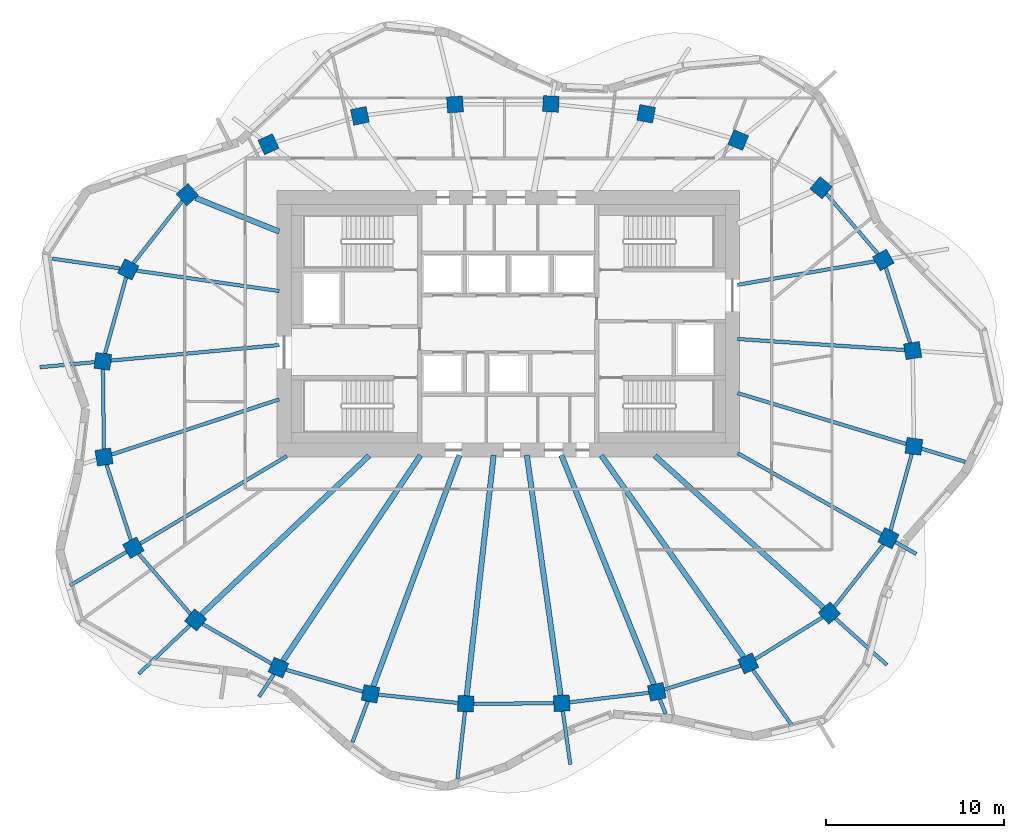
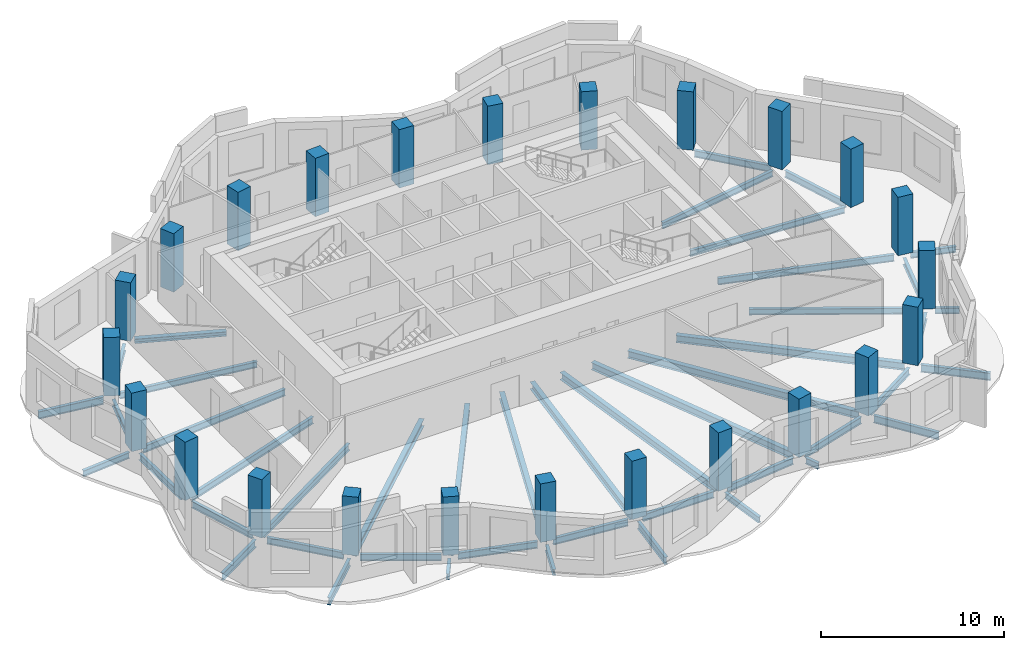
# One storey, part 1 of 9: 46 beams, 24 columns.
"""IFC4 building model written with IfcOpenShell, lengths in metres."""

from ifc_helpers import new_model, si_unit, direction, frame, origin, origin_2d, place, context, subcontext, project, spatial, rectangle, i_section, extrude, material, material_profile, profile_set, type_object, element, save


model = new_model("IFC4")

# Units and contexts
model_context = context("Model", 3, precision=1e-05, world=origin(), true_north=direction((0.0, 1.0)))
body_context = subcontext(model_context, "Body", "Model", "MODEL_VIEW")
ifc_project = project(units=[si_unit("LENGTHUNIT", "METRE"), si_unit("AREAUNIT", "SQUARE_METRE"), si_unit("VOLUMEUNIT", "CUBIC_METRE"), si_unit("PLANEANGLEUNIT", "RADIAN"), si_unit("MASSUNIT", "GRAM", prefix="KILO")], contexts=[model_context])

# Site, building, storey
site_placement = place(None, origin())
site = spatial("IfcSite", under=ifc_project, at=site_placement, CompositionType="ELEMENT")
building_placement = place(site_placement, origin())
building = spatial("IfcBuilding", under=site, at=building_placement, Name="Rubra Terraces Tower", CompositionType="ELEMENT")
storey_placement = place(building_placement, frame((0.0, 0.0, 272.699951171875)))
storey = spatial("IfcBuildingStorey", under=building, at=storey_placement, Name="L67", CompositionType="ELEMENT", Elevation=272.699951171875)

# Columns
ifc_material_1 = material(Name="Concrete C50", Category="concrete")
ifc_material_profile_1 = material_profile(ifc_material_1, rectangle(XDim=0.89990234375, YDim=0.89990234375, at=origin_2d()), Name="RC 900x900")
ifc_profile_set_1 = profile_set([ifc_material_profile_1], Name="Concrete C50")
column_type = type_object("IfcColumnType", Name="RING COLUMN RC 900x900 C50", PredefinedType="COLUMN", material=ifc_profile_set_1)
for number, where, z_axis, x_axis, name in (
    (1, (22.73388671875, 2.992919921875, 0.0), (0.0, 0.0, 1.0), (-0.162062155721, 0.986780551938, 0.0), "column-L67-ring-01"),
    (2, (21.0810546875, 8.090087890625, 0.0), (0.0, 0.0, 1.0), (-0.490161823029, 0.8716314515, 0.0), "column-L67-ring-02"),
    (3, (17.583984375, 12.15087890625, 0.0), (0.0, 0.0, 1.0), (-0.770679191336, 0.637223339216, 0.0), "column-L67-ring-03"),
    (4, (12.927001953125, 14.83203125, 0.0), (0.0, 0.0, 1.0), (-0.92110553102, 0.389312985558, 0.0), "column-L67-ring-04"),
    (5, (7.7509765625, 16.306884765625, 0.0), (0.0, 0.0, 1.0), (-0.981936574306, 0.189210369799, 0.0), "column-L67-ring-05"),
    (6, (2.39208984375, 16.862060546875, 0.0), (0.0, 0.0, 1.0), (-0.998791416829, 0.049149828786, 0.0), "column-L67-ring-06"),
    (7, (-2.9990234375, 16.8359375, 0.0), (0.0, 0.0, 1.0), (-0.998059443319, -0.062268351524, 0.0), "column-L67-ring-07"),
    (8, (-8.346923828125, 16.19189453125, 0.0), (0.0, 0.0, 1.0), (-0.977944102772, -0.208866780156, 0.0), "column-L67-ring-08"),
    (9, (-13.487060546875, 14.595947265625, 0.0), (0.0, 0.0, 1.0), (-0.90972649622, -0.415208022652, 0.0), "column-L67-ring-09"),
    (10, (-18.051025390625, 11.762939453125, 0.0), (0.0, 0.0, 1.0), (-0.7456420961, -0.66634665492, 0.0), "column-L67-ring-10"),
    (11, (-21.366943359375, 7.553955078125, 0.0), (0.0, 0.0, 1.0), (-0.452078869866, -0.891977968013, 0.0), "column-L67-ring-11"),
    (12, (-22.802001953125, 2.388916015625, 0.0), (0.0, 0.0, 1.0), (-0.128535191473, -0.991704948336, 0.0), "column-L67-ring-12"),
    (13, (-22.73388671875, -2.992919921875, 0.0), (0.0, 0.0, 1.0), (0.162062155721, -0.986780551938, 0.0), "column-L67-ring-13"),
    (14, (-21.0810546875, -8.090087890625, 0.0), (0.0, 0.0, 1.0), (0.490161823029, -0.8716314515, 0.0), "column-L67-ring-14"),
    (15, (-17.583984375, -12.15087890625, 0.0), (0.0, 0.0, 1.0), (0.770679191336, -0.637223339216, 0.0), "column-L67-ring-15"),
    (16, (-12.927001953125, -14.83203125, 0.0), (0.0, 0.0, 1.0), (0.92110553102, -0.389312985558, 0.0), "column-L67-ring-16"),
    (17, (-7.7509765625, -16.306884765625, 0.0), (0.0, 0.0, 1.0), (0.981936574306, -0.189210369799, 0.0), "column-L67-ring-17"),
    (18, (-2.39208984375, -16.862060546875, 0.0), (0.0, 0.0, 1.0), (0.998791416829, -0.049149828786, 0.0), "column-L67-ring-18"),
    (19, (2.9990234375, -16.8359375, 0.0), (0.0, 0.0, 1.0), (0.998059443319, 0.062268351524, 0.0), "column-L67-ring-19"),
    (20, (8.346923828125, -16.19189453125, 0.0), (0.0, 0.0, 1.0), (0.977944102772, 0.208866780156, 0.0), "column-L67-ring-20"),
    (21, (13.487060546875, -14.595947265625, 0.0), (0.0, 0.0, 1.0), (0.90972649622, 0.415208022652, 0.0), "column-L67-ring-21"),
    (22, (18.051025390625, -11.762939453125, 0.0), (0.0, 0.0, 1.0), (0.7456420961, 0.66634665492, 0.0), "column-L67-ring-22"),
    (23, (21.366943359375, -7.553955078125, 0.0), (0.0, 0.0, 1.0), (0.452078869866, 0.891977968013, 0.0), "column-L67-ring-23"),
    (24, (22.802001953125, -2.388916015625, 0.0), (0.0, 0.0, 1.0), (0.128535191473, 0.991704948336, 0.0), "column-L67-ring-24"),
):
    element("IfcColumn", number, at=place(storey_placement, frame(where, z_axis=z_axis, x_axis=x_axis)), inside=storey, type_object=column_type, Name=name, PredefinedType="COLUMN", context=body_context, shape_type="SweptSolid", body=[
        extrude(rectangle(XDim=0.89990234375, YDim=0.89990234375, at=origin_2d()), origin(), (0.0, 0.0, 1.0), 3.900146484375),
    ])

# Beams
ifc_material_2 = material(Name="Steel Q355B", Category="steel")
ifc_material_profile_2 = material_profile(ifc_material_2, i_section(OverallWidth=0.199951171875, OverallDepth=0.39990234375, WebThickness=0.008056640625, FlangeThickness=0.012939453125, at=origin_2d()), Name="HN 400x200x8x13")
ifc_profile_set_2 = profile_set([ifc_material_profile_2], Name="Steel Q355B")
beam_type_1 = type_object("IfcBeamType", Name="CANTILEVER BEAM HN 400x200x8x13", PredefinedType="BEAM", material=ifc_profile_set_2)
beam_1_placement = place(storey_placement, frame((-23.260986328125, 2.345947265625, -0.39990234375), z_axis=(-0.995757013505, -0.092021573864, 0.0), x_axis=(0.092021573864, -0.995757013505, 0.0)))
element("IfcBeam", 25, at=beam_1_placement, inside=storey, type_object=beam_type_1, Name="beam-L67-cant-12", PredefinedType="BEAM", context=body_context, shape_type="SweptSolid", body=[
    extrude(i_section(OverallWidth=0.199951171875, OverallDepth=0.39990234375, WebThickness=0.008056640625, FlangeThickness=0.012939453125, at=origin_2d()), origin(), (0.0, 0.0, 1.0), 3.09619140625),
])
beam_2_placement = place(storey_placement, frame((-13.181884765625, -15.212890625, -0.39990234375), z_axis=(-0.555635784289, -0.831425808607, 0.0), x_axis=(0.831425808607, -0.555635784289, 0.0)))
element("IfcBeam", 26, at=beam_2_placement, inside=storey, type_object=beam_type_1, Name="beam-L67-cant-16", PredefinedType="BEAM", context=body_context, shape_type="SweptSolid", body=[
    extrude(i_section(OverallWidth=0.199951171875, OverallDepth=0.39990234375, WebThickness=0.008056640625, FlangeThickness=0.012939453125, at=origin_2d()), origin(), (0.0, 0.0, 1.0), 1.5048828125),
])
beam_3_placement = place(storey_placement, frame((-7.909912109375, -16.735107421875, -0.39990234375), z_axis=(-0.349516873948, -0.936930069336, 0.0), x_axis=(0.936930069336, -0.349516873948, 0.0)))
element("IfcBeam", 27, at=beam_3_placement, inside=storey, type_object=beam_type_1, Name="beam-L67-cant-17", PredefinedType="BEAM", context=body_context, shape_type="SweptSolid", body=[
    extrude(i_section(OverallWidth=0.199951171875, OverallDepth=0.39990234375, WebThickness=0.008056640625, FlangeThickness=0.012939453125, at=origin_2d()), origin(), (0.0, 0.0, 1.0), 2.43212890625),
])
beam_4_placement = place(storey_placement, frame((3.06201171875, -17.282958984375, -0.39990234375), z_axis=(0.139077663132, -0.990281476964, 0.0), x_axis=(0.990281476964, 0.139077663132, 0.0)))
element("IfcBeam", 28, at=beam_4_placement, inside=storey, type_object=beam_type_1, Name="beam-L67-cant-19", PredefinedType="BEAM", context=body_context, shape_type="SweptSolid", body=[
    extrude(i_section(OverallWidth=0.199951171875, OverallDepth=0.39990234375, WebThickness=0.008056640625, FlangeThickness=0.012939453125, at=origin_2d()), origin(), (0.0, 0.0, 1.0), 3.019287109375),
])
beam_5_placement = place(storey_placement, frame((23.239013671875, -2.52099609375, -0.39990234375), z_axis=(0.957222496317, -0.289352885842, 0.0), x_axis=(0.289352885842, 0.957222496317, 0.0)))
element("IfcBeam", 29, at=beam_5_placement, inside=storey, type_object=beam_type_1, Name="beam-L67-cant-24", PredefinedType="BEAM", context=body_context, shape_type="SweptSolid", body=[
    extrude(i_section(OverallWidth=0.199951171875, OverallDepth=0.39990234375, WebThickness=0.008056640625, FlangeThickness=0.012939453125, at=origin_2d()), origin(), (0.0, 0.0, 1.0), 2.557373046875),
])
ifc_material_profile_3 = material_profile(ifc_material_2, i_section(OverallWidth=0.198974609375, OverallDepth=0.49609375, WebThickness=0.009033203125, FlangeThickness=0.013916015625, at=origin_2d()), Name="HN 496x199x9x14")
ifc_profile_set_3 = profile_set([ifc_material_profile_3], Name="Steel Q355B")
beam_type_2 = type_object("IfcBeamType", Name="CANTILEVER BEAM HN 496x199x9x14", PredefinedType="BEAM", material=ifc_profile_set_3)
beam_6_placement = place(storey_placement, frame((-21.8369140625, 7.62109375, -0.447998046875), z_axis=(-0.989915068001, 0.141662126712, 0.0), x_axis=(-0.141662126712, -0.989915068001, 0.0)))
element("IfcBeam", 30, at=beam_6_placement, inside=storey, type_object=beam_type_2, Name="beam-L67-cant-11", PredefinedType="BEAM", context=body_context, shape_type="SweptSolid", body=[
    extrude(i_section(OverallWidth=0.198974609375, OverallDepth=0.49609375, WebThickness=0.009033203125, FlangeThickness=0.013916015625, at=origin_2d()), origin(), (0.0, 0.0, 1.0), 3.832763671875),
])
beam_7_placement = place(storey_placement, frame((-21.467041015625, -8.321044921875, -0.447998046875), z_axis=(-0.858684932561, -0.512503840564, 0.0), x_axis=(0.512503840564, -0.858684932561, 0.0)))
element("IfcBeam", 31, at=beam_7_placement, inside=storey, type_object=beam_type_2, Name="beam-L67-cant-14", PredefinedType="BEAM", context=body_context, shape_type="SweptSolid", body=[
    extrude(i_section(OverallWidth=0.198974609375, OverallDepth=0.49609375, WebThickness=0.009033203125, FlangeThickness=0.013916015625, at=origin_2d()), origin(), (0.0, 0.0, 1.0), 3.697509765625),
])
beam_8_placement = place(storey_placement, frame((-17.9130859375, -12.462890625, -0.447998046875), z_axis=(-0.726067989976, -0.687622915509, 0.0), x_axis=(0.687622915509, -0.726067989976, 0.0)))
element("IfcBeam", 32, at=beam_8_placement, inside=storey, type_object=beam_type_2, Name="beam-L67-cant-15", PredefinedType="BEAM", context=body_context, shape_type="SweptSolid", body=[
    extrude(i_section(OverallWidth=0.198974609375, OverallDepth=0.49609375, WebThickness=0.009033203125, FlangeThickness=0.013916015625, at=origin_2d()), origin(), (0.0, 0.0, 1.0), 3.949951171875),
])
beam_9_placement = place(storey_placement, frame((-2.44189453125, -17.31005859375, -0.447998046875), z_axis=(-0.111290281611, -0.993787941776, 0.0), x_axis=(0.993787941776, -0.111290281611, 0.0)))
element("IfcBeam", 33, at=beam_9_placement, inside=storey, type_object=beam_type_2, Name="beam-L67-cant-18", PredefinedType="BEAM", context=body_context, shape_type="SweptSolid", body=[
    extrude(i_section(OverallWidth=0.198974609375, OverallDepth=0.49609375, WebThickness=0.009033203125, FlangeThickness=0.013916015625, at=origin_2d()), origin(), (0.0, 0.0, 1.0), 3.775390625),
])
beam_10_placement = place(storey_placement, frame((13.7509765625, -14.969970703125, -0.447998046875), z_axis=(0.576938338503, -0.816787704098, 0.0), x_axis=(0.816787704098, 0.576938338503, 0.0)))
element("IfcBeam", 34, at=beam_10_placement, inside=storey, type_object=beam_type_2, Name="beam-L67-cant-21", PredefinedType="BEAM", context=body_context, shape_type="SweptSolid", body=[
    extrude(i_section(OverallWidth=0.198974609375, OverallDepth=0.49609375, WebThickness=0.009033203125, FlangeThickness=0.013916015625, at=origin_2d()), origin(), (0.0, 0.0, 1.0), 3.90673828125),
])
beam_11_placement = place(storey_placement, frame((18.386962890625, -12.06591796875, -0.447998046875), z_axis=(0.743069836047, -0.669213881175, 0.0), x_axis=(0.669213881175, 0.743069836047, 0.0)))
element("IfcBeam", 35, at=beam_11_placement, inside=storey, type_object=beam_type_2, Name="beam-L67-cant-22", PredefinedType="BEAM", context=body_context, shape_type="SweptSolid", body=[
    extrude(i_section(OverallWidth=0.198974609375, OverallDepth=0.49609375, WebThickness=0.009033203125, FlangeThickness=0.013916015625, at=origin_2d()), origin(), (0.0, 0.0, 1.0), 3.8974609375),
])
ifc_material_profile_4 = material_profile(ifc_material_2, i_section(OverallWidth=0.199951171875, OverallDepth=0.39990234375, WebThickness=0.008056640625, FlangeThickness=0.012939453125, at=origin_2d()), Name="HN 400x200x8x13")
ifc_profile_set_4 = profile_set([ifc_material_profile_4], Name="Steel Q355B")
beam_type_3 = type_object("IfcBeamType", Name="CANTILEVER STUB HN 400x200x8x13", PredefinedType="BEAM", material=ifc_profile_set_4)
beam_12_placement = place(storey_placement, frame((8.51806640625, -16.615966796875, -0.39990234375), z_axis=(0.373844383566, -0.927491443021, 0.0), x_axis=(0.927491443021, 0.373844383566, 0.0)))
element("IfcBeam", 36, at=beam_12_placement, inside=storey, type_object=beam_type_3, Name="beam-L67-cant-20", PredefinedType="BEAM", context=body_context, shape_type="SweptSolid", body=[
    extrude(i_section(OverallWidth=0.199951171875, OverallDepth=0.39990234375, WebThickness=0.008056640625, FlangeThickness=0.012939453125, at=origin_2d()), origin(), (0.0, 0.0, 1.0), 0.87451171875),
])
beam_13_placement = place(storey_placement, frame((21.759033203125, -7.77490234375, -0.39990234375), z_axis=(0.870954575191, -0.491363539504, 0.0), x_axis=(0.491363539504, 0.870954575191, 0.0)))
element("IfcBeam", 37, at=beam_13_placement, inside=storey, type_object=beam_type_3, Name="beam-L67-cant-23", PredefinedType="BEAM", context=body_context, shape_type="SweptSolid", body=[
    extrude(i_section(OverallWidth=0.199951171875, OverallDepth=0.39990234375, WebThickness=0.008056640625, FlangeThickness=0.012939453125, at=origin_2d()), origin(), (0.0, 0.0, 1.0), 1.345458984375),
])
ifc_material_profile_5 = material_profile(ifc_material_2, i_section(OverallWidth=0.300048828125, OverallDepth=0.48193359375, WebThickness=0.010986328125, FlangeThickness=0.014892578125, at=origin_2d()), Name="HM 482x300x11x15")
ifc_profile_set_5 = profile_set([ifc_material_profile_5], Name="Steel Q355B")
beam_type_4 = type_object("IfcBeamType", Name="FLOOR BEAM HM 482x300x11x15", PredefinedType="BEAM", material=ifc_profile_set_5)
beam_14_placement = place(storey_placement, frame((-17.2548828125, -11.839111328125, -0.44091796875), z_axis=(0.726101482513, 0.687587548674, 0.0), x_axis=(-0.687587548674, 0.726101482513, 0.0)))
element("IfcBeam", 38, at=beam_14_placement, inside=storey, type_object=beam_type_4, Name="beam-L67-floor-15", PredefinedType="BEAM", context=body_context, shape_type="SweptSolid", body=[
    extrude(i_section(OverallWidth=0.300048828125, OverallDepth=0.48193359375, WebThickness=0.010986328125, FlangeThickness=0.014892578125, at=origin_2d()), origin(), (0.0, 0.0, 1.0), 12.97607421875),
])
beam_15_placement = place(storey_placement, frame((-12.672119140625, -14.450927734375, -0.44091796875), z_axis=(0.55586735335, 0.831271006038, 0.0), x_axis=(-0.831271006038, 0.55586735335, 0.0)))
element("IfcBeam", 39, at=beam_15_placement, inside=storey, type_object=beam_type_4, Name="beam-L67-floor-16", PredefinedType="BEAM", context=body_context, shape_type="SweptSolid", body=[
    extrude(i_section(OverallWidth=0.300048828125, OverallDepth=0.48193359375, WebThickness=0.010986328125, FlangeThickness=0.014892578125, at=origin_2d()), origin(), (0.0, 0.0, 1.0), 13.8955078125),
])
beam_16_placement = place(storey_placement, frame((-7.592041015625, -15.87890625, -0.44091796875), z_axis=(0.349129035616, 0.937074658973, 0.0), x_axis=(-0.937074658973, 0.349129035616, 0.0)))
element("IfcBeam", 40, at=beam_16_placement, inside=storey, type_object=beam_type_4, Name="beam-L67-floor-17", PredefinedType="BEAM", context=body_context, shape_type="SweptSolid", body=[
    extrude(i_section(OverallWidth=0.300048828125, OverallDepth=0.48193359375, WebThickness=0.010986328125, FlangeThickness=0.014892578125, at=origin_2d()), origin(), (0.0, 0.0, 1.0), 13.86328125),
])
beam_17_placement = place(storey_placement, frame((-2.342041015625, -16.4140625, -0.44091796875), z_axis=(0.111334672678, 0.993782969596, 0.0), x_axis=(-0.993782969596, 0.111334672678, 0.0)))
element("IfcBeam", 41, at=beam_17_placement, inside=storey, type_object=beam_type_4, Name="beam-L67-floor-18", PredefinedType="BEAM", context=body_context, shape_type="SweptSolid", body=[
    extrude(i_section(OverallWidth=0.300048828125, OverallDepth=0.48193359375, WebThickness=0.010986328125, FlangeThickness=0.014892578125, at=origin_2d()), origin(), (0.0, 0.0, 1.0), 13.61767578125),
])
beam_18_placement = place(storey_placement, frame((2.93603515625, -16.388916015625, -0.44091796875), z_axis=(-0.139140748081, 0.990272615103, 0.0), x_axis=(-0.990272615103, -0.139140748081, 0.0)))
element("IfcBeam", 42, at=beam_18_placement, inside=storey, type_object=beam_type_4, Name="beam-L67-floor-19", PredefinedType="BEAM", context=body_context, shape_type="SweptSolid", body=[
    extrude(i_section(OverallWidth=0.300048828125, OverallDepth=0.48193359375, WebThickness=0.010986328125, FlangeThickness=0.014892578125, at=origin_2d()), origin(), (0.0, 0.0, 1.0), 13.640380859375),
])
beam_19_placement = place(storey_placement, frame((8.176025390625, -15.76806640625, -0.44091796875), z_axis=(-0.374083693877, 0.927394948215, 0.0), x_axis=(-0.927394948215, -0.374083693877, 0.0)))
element("IfcBeam", 43, at=beam_19_placement, inside=storey, type_object=beam_type_4, Name="beam-L67-floor-20", PredefinedType="BEAM", context=body_context, shape_type="SweptSolid", body=[
    extrude(i_section(OverallWidth=0.300048828125, OverallDepth=0.48193359375, WebThickness=0.010986328125, FlangeThickness=0.014892578125, at=origin_2d()), origin(), (0.0, 0.0, 1.0), 13.887451171875),
])
beam_20_placement = place(storey_placement, frame((13.222900390625, -14.221923828125, -0.44091796875), z_axis=(-0.576895514811, 0.816817950948, 0.0), x_axis=(-0.816817950948, -0.576895514811, 0.0)))
element("IfcBeam", 44, at=beam_20_placement, inside=storey, type_object=beam_type_4, Name="beam-L67-floor-21", PredefinedType="BEAM", context=body_context, shape_type="SweptSolid", body=[
    extrude(i_section(OverallWidth=0.300048828125, OverallDepth=0.48193359375, WebThickness=0.010986328125, FlangeThickness=0.014892578125, at=origin_2d()), origin(), (0.0, 0.0, 1.0), 13.8583984375),
])
beam_21_placement = place(storey_placement, frame((17.715087890625, -11.4599609375, -0.44091796875), z_axis=(-0.742980094736, 0.669313513105, 0.0), x_axis=(-0.669313513105, -0.742980094736, 0.0)))
element("IfcBeam", 45, at=beam_21_placement, inside=storey, type_object=beam_type_4, Name="beam-L67-floor-22", PredefinedType="BEAM", context=body_context, shape_type="SweptSolid", body=[
    extrude(i_section(OverallWidth=0.300048828125, OverallDepth=0.48193359375, WebThickness=0.010986328125, FlangeThickness=0.014892578125, at=origin_2d()), origin(), (0.0, 0.0, 1.0), 12.759521484375),
])
ifc_material_profile_6 = material_profile(ifc_material_2, i_section(OverallWidth=0.199951171875, OverallDepth=0.39990234375, WebThickness=0.008056640625, FlangeThickness=0.012939453125, at=origin_2d()), Name="HN 400x200x8x13")
ifc_profile_set_6 = profile_set([ifc_material_profile_6], Name="Steel Q355B")
beam_type_5 = type_object("IfcBeamType", Name="FLOOR BEAM HN 400x200x8x13", PredefinedType="BEAM", material=ifc_profile_set_6)
beam_22_placement = place(storey_placement, frame((22.27294921875, 3.02392578125, -0.39990234375), z_axis=(-0.997814209988, 0.066081785285, 0.0), x_axis=(-0.066081785285, -0.997814209988, 0.0)))
element("IfcBeam", 46, at=beam_22_placement, inside=storey, type_object=beam_type_5, Name="beam-L67-floor-01", PredefinedType="BEAM", context=body_context, shape_type="SweptSolid", body=[
    extrude(i_section(OverallWidth=0.199951171875, OverallDepth=0.39990234375, WebThickness=0.008056640625, FlangeThickness=0.012939453125, at=origin_2d()), origin(), (0.0, 0.0, 1.0), 9.41357421875),
])
beam_23_placement = place(storey_placement, frame((20.610107421875, 8.010009765625, -0.39990234375), z_axis=(-0.985810425856, -0.167862456415, 0.0), x_axis=(0.167862456415, -0.985810425856, 0.0)))
element("IfcBeam", 47, at=beam_23_placement, inside=storey, type_object=beam_type_5, Name="beam-L67-floor-02", PredefinedType="BEAM", context=body_context, shape_type="SweptSolid", body=[
    extrude(i_section(OverallWidth=0.199951171875, OverallDepth=0.39990234375, WebThickness=0.008056640625, FlangeThickness=0.012939453125, at=origin_2d()), origin(), (0.0, 0.0, 1.0), 7.83935546875),
])
beam_24_placement = place(storey_placement, frame((-20.89697265625, 7.487060546875, -0.39990234375), z_axis=(0.98993441274, -0.141526882509, 0.0), x_axis=(0.141526882509, 0.98993441274, 0.0)))
element("IfcBeam", 48, at=beam_24_placement, inside=storey, type_object=beam_type_5, Name="beam-L67-floor-11", PredefinedType="BEAM", context=body_context, shape_type="SweptSolid", body=[
    extrude(i_section(OverallWidth=0.199951171875, OverallDepth=0.39990234375, WebThickness=0.008056640625, FlangeThickness=0.012939453125, at=origin_2d()), origin(), (0.0, 0.0, 1.0), 8.097412109375),
])
beam_25_placement = place(storey_placement, frame((20.97509765625, -7.3330078125, -0.39990234375), z_axis=(-0.870973270007, 0.491330400986, 0.0), x_axis=(-0.491330400986, -0.870973270007, 0.0)))
element("IfcBeam", 49, at=beam_25_placement, inside=storey, type_object=beam_type_5, Name="beam-L67-floor-23", PredefinedType="BEAM", context=body_context, shape_type="SweptSolid", body=[
    extrude(i_section(OverallWidth=0.199951171875, OverallDepth=0.39990234375, WebThickness=0.008056640625, FlangeThickness=0.012939453125, at=origin_2d()), origin(), (0.0, 0.0, 1.0), 9.277099609375),
])
ifc_material_profile_7 = material_profile(ifc_material_2, i_section(OverallWidth=0.198974609375, OverallDepth=0.446044921875, WebThickness=0.008056640625, FlangeThickness=0.011962890625, at=origin_2d()), Name="HN 446x199x8x12")
ifc_profile_set_7 = profile_set([ifc_material_profile_7], Name="Steel Q355B")
beam_type_6 = type_object("IfcBeamType", Name="FLOOR BEAM HN 446x199x8x12", PredefinedType="BEAM", material=ifc_profile_set_7)
beam_26_placement = place(storey_placement, frame((-22.343017578125, 2.431884765625, -0.4228515625), z_axis=(0.995739538303, 0.092210475874, 0.0), x_axis=(-0.092210475874, 0.995739538303, 0.0)))
element("IfcBeam", 50, at=beam_26_placement, inside=storey, type_object=beam_type_6, Name="beam-L67-floor-12", PredefinedType="BEAM", context=body_context, shape_type="SweptSolid", body=[
    extrude(i_section(OverallWidth=0.198974609375, OverallDepth=0.446044921875, WebThickness=0.008056640625, FlangeThickness=0.011962890625, at=origin_2d()), origin(), (0.0, 0.0, 1.0), 9.50244140625),
])
beam_27_placement = place(storey_placement, frame((-22.301025390625, -2.85009765625, -0.4228515625), z_axis=(0.949746725795, 0.313019419273, 0.0), x_axis=(-0.313019419273, 0.949746725795, 0.0)))
element("IfcBeam", 51, at=beam_27_placement, inside=storey, type_object=beam_type_6, Name="beam-L67-floor-13", PredefinedType="BEAM", context=body_context, shape_type="SweptSolid", body=[
    extrude(i_section(OverallWidth=0.198974609375, OverallDepth=0.446044921875, WebThickness=0.008056640625, FlangeThickness=0.011962890625, at=origin_2d()), origin(), (0.0, 0.0, 1.0), 9.913330078125),
])
beam_28_placement = place(storey_placement, frame((-20.695068359375, -7.85888671875, -0.4228515625), z_axis=(0.858552756119, 0.512725233396, 0.0), x_axis=(-0.512725233396, 0.858552756119, 0.0)))
element("IfcBeam", 52, at=beam_28_placement, inside=storey, type_object=beam_type_6, Name="beam-L67-floor-14", PredefinedType="BEAM", context=body_context, shape_type="SweptSolid", body=[
    extrude(i_section(OverallWidth=0.198974609375, OverallDepth=0.446044921875, WebThickness=0.008056640625, FlangeThickness=0.011962890625, at=origin_2d()), origin(), (0.0, 0.0, 1.0), 9.59765625),
])
beam_29_placement = place(storey_placement, frame((22.364990234375, -2.257080078125, -0.4228515625), z_axis=(-0.957268105474, 0.289201960992, 0.0), x_axis=(-0.289201960992, -0.957268105474, 0.0)))
element("IfcBeam", 53, at=beam_29_placement, inside=storey, type_object=beam_type_6, Name="beam-L67-floor-24", PredefinedType="BEAM", context=body_context, shape_type="SweptSolid", body=[
    extrude(i_section(OverallWidth=0.198974609375, OverallDepth=0.446044921875, WebThickness=0.008056640625, FlangeThickness=0.011962890625, at=origin_2d()), origin(), (0.0, 0.0, 1.0), 9.903076171875),
])
ifc_material_profile_8 = material_profile(ifc_material_2, i_section(OverallWidth=0.304931640625, OverallDepth=0.300048828125, WebThickness=0.014892578125, FlangeThickness=0.014892578125, at=origin_2d()), Name="HW 300x305x15x15")
ifc_profile_set_8 = profile_set([ifc_material_profile_8], Name="Steel Q355B")
beam_type_7 = type_object("IfcBeamType", Name="FLOOR BEAM HW 300x305x15x15", PredefinedType="BEAM", material=ifc_profile_set_8)
beam_30_placement = place(storey_placement, frame((-17.5849609375, 11.575927734375, -0.349853515625), z_axis=(0.927692985207, -0.373343977047, 0.0), x_axis=(0.373343977047, 0.927692985207, 0.0)))
element("IfcBeam", 54, at=beam_30_placement, inside=storey, type_object=beam_type_7, Name="beam-L67-floor-10", PredefinedType="BEAM", context=body_context, shape_type="SweptSolid", body=[
    extrude(i_section(OverallWidth=0.304931640625, OverallDepth=0.300048828125, WebThickness=0.014892578125, FlangeThickness=0.014892578125, at=origin_2d()), origin(), (0.0, 0.0, 1.0), 5.06201171875),
])
ifc_material_profile_9 = material_profile(ifc_material_2, i_section(OverallWidth=0.198974609375, OverallDepth=0.446044921875, WebThickness=0.008056640625, FlangeThickness=0.011962890625, at=origin_2d()), Name="HN 446x199x8x12")
ifc_profile_set_9 = profile_set([ifc_material_profile_9], Name="Steel Q355B")
beam_type_8 = type_object("IfcBeamType", Name="SPANDREL BEAM HN 446x199x8x12", PredefinedType="SPANDREL", material=ifc_profile_set_9)
beam_31_placement = place(storey_placement, frame((22.593994140625, 3.426025390625, -0.4228515625), z_axis=(-0.308536942246, 0.951212360764, 0.0), x_axis=(-0.951212360764, -0.308536942246, 0.0)))
element("IfcBeam", 55, at=beam_31_placement, inside=storey, type_object=beam_type_8, Name="beam-L67-spandrel-01", PredefinedType="SPANDREL", context=body_context, shape_type="SweptSolid", body=[
    extrude(i_section(OverallWidth=0.198974609375, OverallDepth=0.446044921875, WebThickness=0.008056640625, FlangeThickness=0.011962890625, at=origin_2d()), origin(), (0.0, 0.0, 1.0), 4.44384765625),
])
beam_32_placement = place(storey_placement, frame((20.781005859375, 8.43798828125, -0.4228515625), z_axis=(-0.652473175209, 0.757811820726, 0.0), x_axis=(-0.757811820726, -0.652473175209, 0.0)))
element("IfcBeam", 56, at=beam_32_placement, inside=storey, type_object=beam_type_8, Name="beam-L67-spandrel-02", PredefinedType="SPANDREL", context=body_context, shape_type="SweptSolid", body=[
    extrude(i_section(OverallWidth=0.198974609375, OverallDepth=0.446044921875, WebThickness=0.008056640625, FlangeThickness=0.011962890625, at=origin_2d()), origin(), (0.0, 0.0, 1.0), 4.44287109375),
])
beam_33_placement = place(storey_placement, frame((-18.333984375, 11.404052734375, -0.4228515625), z_axis=(-0.61888661349, -0.785480336891, 0.0), x_axis=(0.785480336891, -0.61888661349, 0.0)))
element("IfcBeam", 57, at=beam_33_placement, inside=storey, type_object=beam_type_8, Name="beam-L67-spandrel-10", PredefinedType="SPANDREL", context=body_context, shape_type="SweptSolid", body=[
    extrude(i_section(OverallWidth=0.198974609375, OverallDepth=0.446044921875, WebThickness=0.008056640625, FlangeThickness=0.011962890625, at=origin_2d()), origin(), (0.0, 0.0, 1.0), 4.44189453125),
])
beam_34_placement = place(storey_placement, frame((-21.489990234375, 7.112060546875, -0.4228515625), z_axis=(-0.267564585696, -0.963539927809, 0.0), x_axis=(0.963539927809, -0.267564585696, 0.0)))
element("IfcBeam", 58, at=beam_34_placement, inside=storey, type_object=beam_type_8, Name="beam-L67-spandrel-11", PredefinedType="SPANDREL", context=body_context, shape_type="SweptSolid", body=[
    extrude(i_section(OverallWidth=0.198974609375, OverallDepth=0.446044921875, WebThickness=0.008056640625, FlangeThickness=0.011962890625, at=origin_2d()), origin(), (0.0, 0.0, 1.0), 4.447265625),
])
beam_35_placement = place(storey_placement, frame((-22.7958984375, 1.93408203125, -0.4228515625), z_axis=(0.01250038801, -0.999921867097, 0.0), x_axis=(0.999921867097, 0.01250038801, 0.0)))
element("IfcBeam", 59, at=beam_35_placement, inside=storey, type_object=beam_type_8, Name="beam-L67-spandrel-12", PredefinedType="SPANDREL", context=body_context, shape_type="SweptSolid", body=[
    extrude(i_section(OverallWidth=0.198974609375, OverallDepth=0.446044921875, WebThickness=0.008056640625, FlangeThickness=0.011962890625, at=origin_2d()), origin(), (0.0, 0.0, 1.0), 4.472412109375),
])
beam_36_placement = place(storey_placement, frame((-22.593994140625, -3.426025390625, -0.4228515625), z_axis=(0.308536942246, -0.951212360764, 0.0), x_axis=(0.951212360764, 0.308536942246, 0.0)))
element("IfcBeam", 60, at=beam_36_placement, inside=storey, type_object=beam_type_8, Name="beam-L67-spandrel-13", PredefinedType="SPANDREL", context=body_context, shape_type="SweptSolid", body=[
    extrude(i_section(OverallWidth=0.198974609375, OverallDepth=0.446044921875, WebThickness=0.008056640625, FlangeThickness=0.011962890625, at=origin_2d()), origin(), (0.0, 0.0, 1.0), 4.44384765625),
])
beam_37_placement = place(storey_placement, frame((-20.781005859375, -8.43798828125, -0.4228515625), z_axis=(0.652473175209, -0.757811820726, 0.0), x_axis=(0.757811820726, 0.652473175209, 0.0)))
element("IfcBeam", 61, at=beam_37_placement, inside=storey, type_object=beam_type_8, Name="beam-L67-spandrel-14", PredefinedType="SPANDREL", context=body_context, shape_type="SweptSolid", body=[
    extrude(i_section(OverallWidth=0.198974609375, OverallDepth=0.446044921875, WebThickness=0.008056640625, FlangeThickness=0.011962890625, at=origin_2d()), origin(), (0.0, 0.0, 1.0), 4.44287109375),
])
beam_38_placement = place(storey_placement, frame((-17.18798828125, -12.37890625, -0.4228515625), z_axis=(0.866616005945, -0.498975648945, 0.0), x_axis=(0.498975648945, 0.866616005945, 0.0)))
element("IfcBeam", 62, at=beam_38_placement, inside=storey, type_object=beam_type_8, Name="beam-L67-spandrel-15", PredefinedType="SPANDREL", context=body_context, shape_type="SweptSolid", body=[
    extrude(i_section(OverallWidth=0.198974609375, OverallDepth=0.446044921875, WebThickness=0.008056640625, FlangeThickness=0.011962890625, at=origin_2d()), origin(), (0.0, 0.0, 1.0), 4.463134765625),
])
beam_39_placement = place(storey_placement, frame((-12.490966796875, -14.9560546875, -0.4228515625), z_axis=(0.961713024643, -0.27405849418, 0.0), x_axis=(0.27405849418, 0.961713024643, 0.0)))
element("IfcBeam", 63, at=beam_39_placement, inside=storey, type_object=beam_type_8, Name="beam-L67-spandrel-16", PredefinedType="SPANDREL", context=body_context, shape_type="SweptSolid", body=[
    extrude(i_section(OverallWidth=0.198974609375, OverallDepth=0.446044921875, WebThickness=0.008056640625, FlangeThickness=0.011962890625, at=origin_2d()), origin(), (0.0, 0.0, 1.0), 4.477294921875),
])
beam_40_placement = place(storey_placement, frame((-7.302001953125, -16.35400390625, -0.4228515625), z_axis=(0.994684107425, -0.102973425873, 0.0), x_axis=(0.102973425873, 0.994684107425, 0.0)))
element("IfcBeam", 64, at=beam_40_placement, inside=storey, type_object=beam_type_8, Name="beam-L67-spandrel-17", PredefinedType="SPANDREL", context=body_context, shape_type="SweptSolid", body=[
    extrude(i_section(OverallWidth=0.198974609375, OverallDepth=0.446044921875, WebThickness=0.008056640625, FlangeThickness=0.011962890625, at=origin_2d()), origin(), (0.0, 0.0, 1.0), 4.48583984375),
])
beam_41_placement = place(storey_placement, frame((-1.94091796875, -16.860107421875, -0.4228515625), z_axis=(0.999987753188, 0.004949088244, 0.0), x_axis=(-0.004949088244, 0.999987753188, 0.0)))
element("IfcBeam", 65, at=beam_41_placement, inside=storey, type_object=beam_type_8, Name="beam-L67-spandrel-18", PredefinedType="SPANDREL", context=body_context, shape_type="SweptSolid", body=[
    extrude(i_section(OverallWidth=0.198974609375, OverallDepth=0.446044921875, WebThickness=0.008056640625, FlangeThickness=0.011962890625, at=origin_2d()), origin(), (0.0, 0.0, 1.0), 4.489013671875),
])
beam_42_placement = place(storey_placement, frame((3.447021484375, -16.781982421875, -0.4228515625), z_axis=(0.992829862118, 0.119536040116, 0.0), x_axis=(-0.119536040116, 0.992829862118, 0.0)))
element("IfcBeam", 66, at=beam_42_placement, inside=storey, type_object=beam_type_8, Name="beam-L67-spandrel-19", PredefinedType="SPANDREL", context=body_context, shape_type="SweptSolid", body=[
    extrude(i_section(OverallWidth=0.198974609375, OverallDepth=0.446044921875, WebThickness=0.008056640625, FlangeThickness=0.011962890625, at=origin_2d()), origin(), (0.0, 0.0, 1.0), 4.483154296875),
])
beam_43_placement = place(storey_placement, frame((8.779052734375, -16.05810546875, -0.4228515625), z_axis=(0.955035382264, 0.296491852541, 0.0), x_axis=(-0.296491852541, 0.955035382264, 0.0)))
element("IfcBeam", 67, at=beam_43_placement, inside=storey, type_object=beam_type_8, Name="beam-L67-spandrel-20", PredefinedType="SPANDREL", context=body_context, shape_type="SweptSolid", body=[
    extrude(i_section(OverallWidth=0.198974609375, OverallDepth=0.446044921875, WebThickness=0.008056640625, FlangeThickness=0.011962890625, at=origin_2d()), origin(), (0.0, 0.0, 1.0), 4.47607421875),
])
beam_44_placement = place(storey_placement, frame((13.8720703125, -14.35693359375, -0.4228515625), z_axis=(0.849641857012, 0.527360137679, 0.0), x_axis=(-0.527360137679, 0.849641857012, 0.0)))
element("IfcBeam", 68, at=beam_44_placement, inside=storey, type_object=beam_type_8, Name="beam-L67-spandrel-21", PredefinedType="SPANDREL", context=body_context, shape_type="SweptSolid", body=[
    extrude(i_section(OverallWidth=0.198974609375, OverallDepth=0.446044921875, WebThickness=0.008056640625, FlangeThickness=0.011962890625, at=origin_2d()), origin(), (0.0, 0.0, 1.0), 4.4619140625),
])
beam_45_placement = place(storey_placement, frame((18.333984375, -11.404052734375, -0.4228515625), z_axis=(0.61888661349, 0.785480336891, 0.0), x_axis=(-0.785480336891, 0.61888661349, 0.0)))
element("IfcBeam", 69, at=beam_45_placement, inside=storey, type_object=beam_type_8, Name="beam-L67-spandrel-22", PredefinedType="SPANDREL", context=body_context, shape_type="SweptSolid", body=[
    extrude(i_section(OverallWidth=0.198974609375, OverallDepth=0.446044921875, WebThickness=0.008056640625, FlangeThickness=0.011962890625, at=origin_2d()), origin(), (0.0, 0.0, 1.0), 4.44189453125),
])
beam_46_placement = place(storey_placement, frame((21.489990234375, -7.112060546875, -0.4228515625), z_axis=(0.267564585696, 0.963539927809, 0.0), x_axis=(-0.963539927809, 0.267564585696, 0.0)))
element("IfcBeam", 70, at=beam_46_placement, inside=storey, type_object=beam_type_8, Name="beam-L67-spandrel-23", PredefinedType="SPANDREL", context=body_context, shape_type="SweptSolid", body=[
    extrude(i_section(OverallWidth=0.198974609375, OverallDepth=0.446044921875, WebThickness=0.008056640625, FlangeThickness=0.011962890625, at=origin_2d()), origin(), (0.0, 0.0, 1.0), 4.447265625),
])

save(model, "model.ifc")
